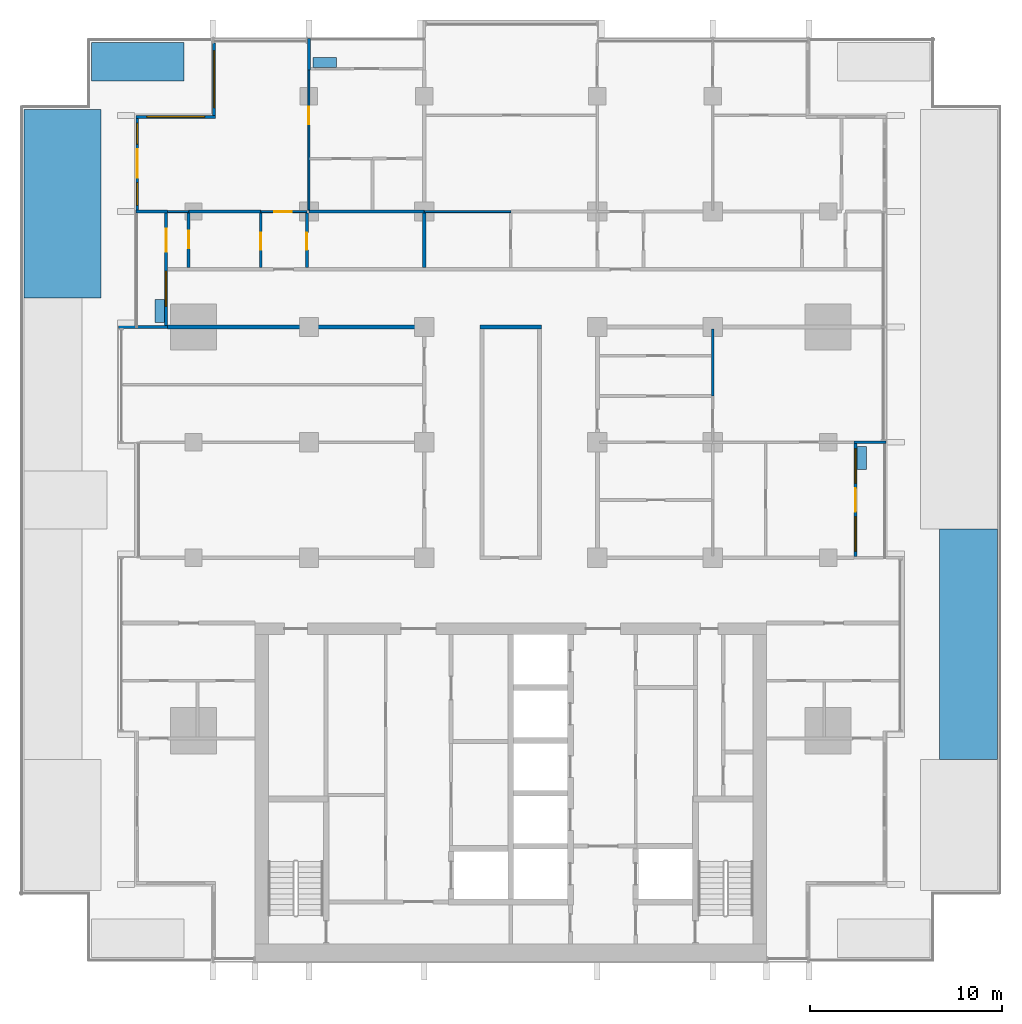
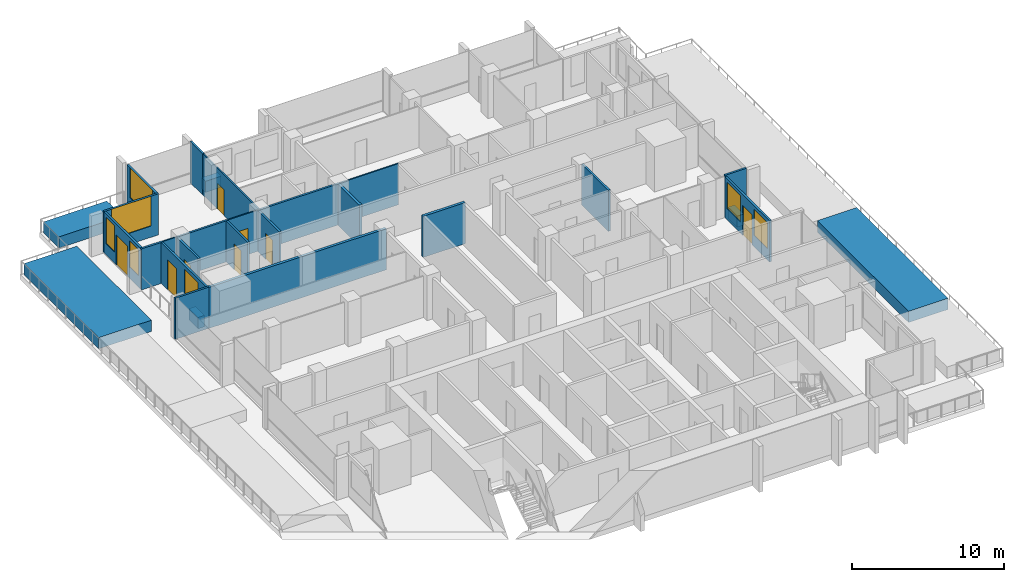
# One storey, part 10 of 18: 28 walls, 8 doors, 7 windows, 15 openings.
"""IFC4 building model written with IfcOpenShell, lengths in metres."""

from ifc_helpers import new_model, si_unit, direction, frame, frame_2d, origin, place, context, subcontext, project, spatial, rectangle, extrude, material, layer, layer_set, type_object, element, fill, save


model = new_model("IFC4")

# Units and contexts
model_context = context("Model", 3, precision=1e-05, world=origin(), true_north=direction((0.0, 1.0)))
body_context = subcontext(model_context, "Body", "Model", "MODEL_VIEW")
ifc_project = project(units=[si_unit("LENGTHUNIT", "METRE"), si_unit("AREAUNIT", "SQUARE_METRE"), si_unit("VOLUMEUNIT", "CUBIC_METRE"), si_unit("PLANEANGLEUNIT", "RADIAN"), si_unit("MASSUNIT", "GRAM", prefix="KILO")], contexts=[model_context])

# Site, building, storey
site_placement = place(None, origin())
site = spatial("IfcSite", under=ifc_project, at=site_placement, CompositionType="ELEMENT")
building_placement = place(site_placement, origin())
building = spatial("IfcBuilding", under=site, at=building_placement, Name="Finial Court Residences", CompositionType="ELEMENT")
storey_placement = place(building_placement, frame((0.0, 0.0, 149.300048828125)))
storey = spatial("IfcBuildingStorey", under=building, at=storey_placement, Name="L36", CompositionType="ELEMENT", Elevation=149.300048828125)

# Walls
ifc_material_1 = material(Name="Gypsum board")
ifc_layer_1 = layer(ifc_material_1, 0.02490234375)
ifc_material_2 = material(Name="Acoustic mineral wool in double frame")
ifc_layer_2 = layer(ifc_material_2, 0.14990234375)
ifc_layer_3 = layer(ifc_material_1, 0.02490234375)
ifc_layer_set_1 = layer_set([ifc_layer_1, ifc_layer_2, ifc_layer_3], Name="Acoustic party wall 200, 1 hour")
wall_type_1 = type_object("IfcWallType", Name="Acoustic party wall 200, 1 hour", PredefinedType="PARTITIONING", material=ifc_layer_set_1)
wall_1_placement = place(storey_placement, frame((-4.5, 10.60009765625, 0.0), z_axis=(0.0, 0.0, 1.0), x_axis=(0.0, 1.0, 0.0)))
element("IfcWall", 1, at=wall_1_placement, inside=storey, type_object=wall_type_1, Name="Partition L36-040", PredefinedType="PARTITIONING", context=body_context, shape_type="SweptSolid", body=[
    extrude(rectangle(XDim=2.824951171875, YDim=0.199951171875, at=frame_2d((1.41259765625, 0.0))), origin(), (0.0, 0.0, 1.0), 3.300048828125),
])
ifc_layer_4 = layer(ifc_material_1, 0.02490234375)
ifc_layer_5 = layer(ifc_material_2, 0.14990234375)
ifc_layer_6 = layer(ifc_material_1, 0.02490234375)
ifc_layer_set_2 = layer_set([ifc_layer_4, ifc_layer_5, ifc_layer_6], Name="Corridor wall 200, 1 hour")
wall_type_2 = type_object("IfcWallType", Name="Corridor wall 200, 1 hour", PredefinedType="PARTITIONING", material=ifc_layer_set_2)
wall_2_placement = place(storey_placement, frame((-17.85009765625, 7.5, 0.0), z_axis=(0.0, 0.0, 1.0), x_axis=(1.0, 0.0, 0.0)))
element("IfcWall", 2, at=wall_2_placement, inside=storey, type_object=wall_type_2, Name="Partition L36-016", PredefinedType="PARTITIONING", context=body_context, shape_type="SweptSolid", body=[
    extrude(rectangle(XDim=13.4501953125, YDim=0.199951171875, at=frame_2d((6.72509765625, 0.0))), origin(), (0.0, 0.0, 1.0), 3.300048828125),
])
wall_3_placement = place(storey_placement, frame((-1.60009765625, 7.5, 0.0), z_axis=(0.0, 0.0, 1.0), x_axis=(1.0, 0.0, 0.0)))
element("IfcWall", 3, at=wall_3_placement, inside=storey, type_object=wall_type_2, Name="Partition L36-017", PredefinedType="PARTITIONING", context=body_context, shape_type="SweptSolid", body=[
    extrude(rectangle(XDim=3.2001953125, YDim=0.199951171875, at=frame_2d((1.60009765625, 0.0))), origin(), (0.0, 0.0, 1.0), 3.300048828125),
])
ifc_layer_7 = layer(ifc_material_1, 0.012451171875)
ifc_material_3 = material(Name="Mineral wool in light-gauge frame")
ifc_layer_8 = layer(ifc_material_3, 0.074951171875)
ifc_layer_9 = layer(ifc_material_1, 0.012451171875)
ifc_layer_set_3 = layer_set([ifc_layer_7, ifc_layer_8, ifc_layer_9], Name="Gypsum board partition 100")
wall_type_3 = type_object("IfcWallType", Name="Gypsum board partition 100", PredefinedType="PARTITIONING", material=ifc_layer_set_3)
wall_4_placement = place(storey_placement, frame((-17.85009765625, 13.5, 0.0), z_axis=(0.0, 0.0, 1.0), x_axis=(1.0, 0.0, 0.0)))
element("IfcWall", 4, at=wall_4_placement, inside=storey, type_object=wall_type_3, Name="Partition L36-020", PredefinedType="PARTITIONING", context=body_context, shape_type="SweptSolid", body=[
    extrude(rectangle(XDim=1.10009765625, YDim=0.10009765625, at=frame_2d((0.550048828125, 0.0))), origin(), (0.0, 0.0, 1.0), 3.300048828125),
])

# Wall, opening, door
wall_5_placement = place(storey_placement, frame((-13.0, 13.5, 0.0), z_axis=(0.0, 0.0, 1.0), x_axis=(1.0, 0.0, 0.0)))
wall_5 = element("IfcWall", 5, at=wall_5_placement, inside=storey, type_object=wall_type_3, Name="Partition L36-021", PredefinedType="PARTITIONING", context=body_context, shape_type="SweptSolid", body=[
    extrude(rectangle(XDim=2.39990234375, YDim=0.10009765625, at=frame_2d((1.199951171875, 0.0))), origin(), (0.0, 0.0, 1.0), 3.300048828125),
])
opening_1_placement = place(wall_5_placement, frame((0.699951171875, 0.0, 0.0)))
opening_1 = element("IfcOpeningElement", 6, at=opening_1_placement, cuts=wall_5, Name="Opening L36-D017", PredefinedType="OPENING", context=body_context, shape_type="SweptSolid", body=[
    extrude(rectangle(XDim=0.89990234375, YDim=2.10009765625, at=frame_2d((0.449951171875, 1.050048828125))), frame((0.0, 0.06005859375, 0.0), z_axis=(0.0, -1.0, 0.0), x_axis=(1.0, 0.0, 0.0)), (0.0, 0.0, 1.0), 0.1201171875),
])
ifc_material_4 = material(Name="Timber door leaf in timber frame", Category="wood")
door_type_1 = type_object("IfcDoorType", Name="Door set 900 x 2100", OperationType="SINGLE_SWING_LEFT", PredefinedType="DOOR", material=ifc_material_4)
door_1_placement = place(opening_1_placement, origin())
door_1 = element("IfcDoor", 7, at=door_1_placement, inside=storey, type_object=door_type_1, Name="Door L36-D017", OperationType="SINGLE_SWING_LEFT", OverallHeight=2.10009765625, OverallWidth=0.89990234375, PredefinedType="DOOR", context=body_context, shape_type="SweptSolid", body=[
    extrude(rectangle(XDim=0.89990234375, YDim=2.10009765625, at=frame_2d((0.449951171875, 1.050048828125))), frame((0.0, 0.02490234375, 0.0), z_axis=(0.0, -1.0, 0.0), x_axis=(1.0, 0.0, 0.0)), (0.0, 0.0, 1.0), 0.050048828125),
])
fill(opening_1, door_1)

# Wall
wall_6_placement = place(storey_placement, frame((-4.5, 13.5, 0.0), z_axis=(0.0, 0.0, 1.0), x_axis=(1.0, 0.0, 0.0)))
element("IfcWall", 8, at=wall_6_placement, inside=storey, type_object=wall_type_3, Name="Partition L36-022", PredefinedType="PARTITIONING", context=body_context, shape_type="SweptSolid", body=[
    extrude(rectangle(XDim=4.5, YDim=0.10009765625, at=frame_2d((2.25, 0.0))), origin(), (0.0, 0.0, 1.0), 3.300048828125),
])

# Wall, opening, door
wall_7_placement = place(storey_placement, frame((-10.5, 13.574951171875, 0.0), z_axis=(0.0, 0.0, 1.0), x_axis=(0.0, 1.0, 0.0)))
wall_7 = element("IfcWall", 9, at=wall_7_placement, inside=storey, type_object=wall_type_3, Name="Partition L36-037", PredefinedType="PARTITIONING", context=body_context, shape_type="SweptSolid", body=[
    extrude(rectangle(XDim=7.275146484375, YDim=0.10009765625, at=frame_2d((3.6376953125, 0.0))), origin(), (0.0, 0.0, 1.0), 3.300048828125),
])
opening_2_placement = place(wall_7_placement, frame((4.47509765625, 0.0, 0.0)))
opening_2 = element("IfcOpeningElement", 10, at=opening_2_placement, cuts=wall_7, Name="Opening L36-D026", PredefinedType="OPENING", context=body_context, shape_type="SweptSolid", body=[
    extrude(rectangle(XDim=0.89990234375, YDim=2.10009765625, at=frame_2d((0.449951171875, 1.050048828125))), frame((0.0, 0.06005859375, 0.0), z_axis=(0.0, -1.0, 0.0), x_axis=(1.0, 0.0, 0.0)), (0.0, 0.0, 1.0), 0.1201171875),
])
door_2_placement = place(opening_2_placement, origin())
door_2 = element("IfcDoor", 11, at=door_2_placement, inside=storey, type_object=door_type_1, Name="Door L36-D026", OperationType="SINGLE_SWING_RIGHT", OverallHeight=2.10009765625, OverallWidth=0.89990234375, PredefinedType="DOOR", context=body_context, shape_type="SweptSolid", body=[
    extrude(rectangle(XDim=0.89990234375, YDim=2.10009765625, at=frame_2d((0.449951171875, 1.050048828125))), frame((0.0, 0.02490234375, 0.0), z_axis=(0.0, -1.0, 0.0), x_axis=(1.0, 0.0, 0.0)), (0.0, 0.0, 1.0), 0.050048828125),
])
fill(opening_2, door_2)

# Walls
ifc_material_5 = material(Name="Moisture-resistant gypsum board")
ifc_layer_10 = layer(ifc_material_5, 0.012451171875)
ifc_layer_11 = layer(ifc_material_3, 0.125)
ifc_layer_12 = layer(ifc_material_5, 0.012451171875)
ifc_layer_set_4 = layer_set([ifc_layer_10, ifc_layer_11, ifc_layer_12], Name="Gypsum board wet-area partition 150")
wall_type_4 = type_object("IfcWallType", Name="Gypsum board wet-area partition 150", PredefinedType="PARTITIONING", material=ifc_layer_set_4)
wall_8_placement = place(storey_placement, frame((-16.75, 13.5, 0.0), z_axis=(0.0, 0.0, 1.0), x_axis=(1.0, 0.0, 0.0)))
element("IfcWall", 12, at=wall_8_placement, inside=storey, type_object=wall_type_4, Name="Partition L36-024", PredefinedType="PARTITIONING", context=body_context, shape_type="SweptSolid", body=[
    extrude(rectangle(XDim=3.75, YDim=0.14990234375, at=frame_2d((1.875, 0.0))), origin(), (0.0, 0.0, 1.0), 3.300048828125),
])
wall_9_placement = place(storey_placement, frame((-10.5, 13.5, 0.0), z_axis=(0.0, 0.0, 1.0), x_axis=(1.0, 0.0, 0.0)))
element("IfcWall", 13, at=wall_9_placement, inside=storey, type_object=wall_type_4, Name="Partition L36-025", PredefinedType="PARTITIONING", context=body_context, shape_type="SweptSolid", body=[
    extrude(rectangle(XDim=6.0, YDim=0.14990234375, at=frame_2d((3.0, 0.0))), origin(), (0.0, 0.0, 1.0), 3.300048828125),
])

# Wall, opening, door
wall_10_placement = place(storey_placement, frame((-16.75, 10.60009765625, 0.0), z_axis=(0.0, 0.0, 1.0), x_axis=(0.0, 1.0, 0.0)))
wall_10 = element("IfcWall", 14, at=wall_10_placement, inside=storey, type_object=wall_type_4, Name="Partition L36-033", PredefinedType="PARTITIONING", context=body_context, shape_type="SweptSolid", body=[
    extrude(rectangle(XDim=2.824951171875, YDim=0.14990234375, at=frame_2d((1.41259765625, 0.0))), origin(), (0.0, 0.0, 1.0), 3.300048828125),
])
opening_3_placement = place(wall_10_placement, frame((1.0, 0.0, 0.0)))
opening_3 = element("IfcOpeningElement", 15, at=opening_3_placement, cuts=wall_10, Name="Opening L36-D023", PredefinedType="OPENING", context=body_context, shape_type="SweptSolid", body=[
    extrude(rectangle(XDim=0.89990234375, YDim=2.10009765625, at=frame_2d((0.449951171875, 1.050048828125))), frame((0.0, 0.0849609375, 0.0), z_axis=(0.0, -1.0, 0.0), x_axis=(1.0, 0.0, 0.0)), (0.0, 0.0, 1.0), 0.169921875),
])
door_3_placement = place(opening_3_placement, origin())
door_3 = element("IfcDoor", 16, at=door_3_placement, inside=storey, type_object=door_type_1, Name="Door L36-D023", OperationType="SINGLE_SWING_LEFT", OverallHeight=2.10009765625, OverallWidth=0.89990234375, PredefinedType="DOOR", context=body_context, shape_type="SweptSolid", body=[
    extrude(rectangle(XDim=0.89990234375, YDim=2.10009765625, at=frame_2d((0.449951171875, 1.050048828125))), frame((0.0, 0.02490234375, 0.0), z_axis=(0.0, -1.0, 0.0), x_axis=(1.0, 0.0, 0.0)), (0.0, 0.0, 1.0), 0.050048828125),
])
fill(opening_3, door_3)

wall_11_placement = place(storey_placement, frame((-13.0, 10.60009765625, 0.0), z_axis=(0.0, 0.0, 1.0), x_axis=(0.0, 1.0, 0.0)))
wall_11 = element("IfcWall", 17, at=wall_11_placement, inside=storey, type_object=wall_type_4, Name="Partition L36-035", PredefinedType="PARTITIONING", context=body_context, shape_type="SweptSolid", body=[
    extrude(rectangle(XDim=2.824951171875, YDim=0.14990234375, at=frame_2d((1.41259765625, 0.0))), origin(), (0.0, 0.0, 1.0), 3.300048828125),
])
opening_4_placement = place(wall_11_placement, frame((0.89990234375, 0.0, 0.0)))
opening_4 = element("IfcOpeningElement", 18, at=opening_4_placement, cuts=wall_11, Name="Opening L36-D024", PredefinedType="OPENING", context=body_context, shape_type="SweptSolid", body=[
    extrude(rectangle(XDim=0.89990234375, YDim=2.10009765625, at=frame_2d((0.449951171875, 1.050048828125))), frame((0.0, 0.0849609375, 0.0), z_axis=(0.0, -1.0, 0.0), x_axis=(1.0, 0.0, 0.0)), (0.0, 0.0, 1.0), 0.169921875),
])
door_4_placement = place(opening_4_placement, origin())
door_4 = element("IfcDoor", 19, at=door_4_placement, inside=storey, type_object=door_type_1, Name="Door L36-D024", OperationType="SINGLE_SWING_LEFT", OverallHeight=2.10009765625, OverallWidth=0.89990234375, PredefinedType="DOOR", context=body_context, shape_type="SweptSolid", body=[
    extrude(rectangle(XDim=0.89990234375, YDim=2.10009765625, at=frame_2d((0.449951171875, 1.050048828125))), frame((0.0, 0.02490234375, 0.0), z_axis=(0.0, -1.0, 0.0), x_axis=(1.0, 0.0, 0.0)), (0.0, 0.0, 1.0), 0.050048828125),
])
fill(opening_4, door_4)

wall_12_placement = place(storey_placement, frame((-10.60009765625, 10.60009765625, 0.0), z_axis=(0.0, 0.0, 1.0), x_axis=(0.0, 1.0, 0.0)))
wall_12 = element("IfcWall", 20, at=wall_12_placement, inside=storey, type_object=wall_type_4, Name="Partition L36-036", PredefinedType="PARTITIONING", context=body_context, shape_type="SweptSolid", body=[
    extrude(rectangle(XDim=2.824951171875, YDim=0.14990234375, at=frame_2d((1.41259765625, 0.0))), origin(), (0.0, 0.0, 1.0), 3.300048828125),
])
opening_5_placement = place(wall_12_placement, frame((0.89990234375, 0.0, 0.0)))
opening_5 = element("IfcOpeningElement", 21, at=opening_5_placement, cuts=wall_12, Name="Opening L36-D025", PredefinedType="OPENING", context=body_context, shape_type="SweptSolid", body=[
    extrude(rectangle(XDim=0.89990234375, YDim=2.10009765625, at=frame_2d((0.449951171875, 1.050048828125))), frame((0.0, 0.0849609375, 0.0), z_axis=(0.0, -1.0, 0.0), x_axis=(1.0, 0.0, 0.0)), (0.0, 0.0, 1.0), 0.169921875),
])
door_5_placement = place(opening_5_placement, origin())
door_5 = element("IfcDoor", 22, at=door_5_placement, inside=storey, type_object=door_type_1, Name="Door L36-D025", OperationType="SINGLE_SWING_RIGHT", OverallHeight=2.10009765625, OverallWidth=0.89990234375, PredefinedType="DOOR", context=body_context, shape_type="SweptSolid", body=[
    extrude(rectangle(XDim=0.89990234375, YDim=2.10009765625, at=frame_2d((0.449951171875, 1.050048828125))), frame((0.0, 0.02490234375, 0.0), z_axis=(0.0, -1.0, 0.0), x_axis=(1.0, 0.0, 0.0)), (0.0, 0.0, 1.0), 0.050048828125),
])
fill(opening_5, door_5)

# Wall
wall_13_placement = place(storey_placement, frame((10.5, 3.89990234375, 0.0), z_axis=(0.0, 0.0, 1.0), x_axis=(0.0, 1.0, 0.0)))
element("IfcWall", 23, at=wall_13_placement, inside=storey, type_object=wall_type_4, Name="Partition L36-053", PredefinedType="PARTITIONING", context=body_context, shape_type="SweptSolid", body=[
    extrude(rectangle(XDim=3.5, YDim=0.14990234375, at=frame_2d((1.75, 0.0))), origin(), (0.0, 0.0, 1.0), 3.300048828125),
])

# Wall, opening, window
ifc_material_6 = material(Name="Natural limestone", Category="masonry")
ifc_layer_13 = layer(ifc_material_6, 0.14990234375)
ifc_layer_set_5 = layer_set([ifc_layer_13], Name="Limestone clad wall 150")
wall_type_5 = type_object("IfcWallType", Name="Limestone clad wall 150", PredefinedType="SOLIDWALL", material=ifc_layer_set_5)
wall_14_placement = place(storey_placement, frame((-15.425048828125, 18.5, 0.0), z_axis=(0.0, 0.0, 1.0), x_axis=(0.0, 1.0, 0.0)))
wall_14 = element("IfcWall", 24, at=wall_14_placement, inside=storey, type_object=wall_type_5, Name="E-L36-NWW15", PredefinedType="SOLIDWALL", context=body_context, shape_type="SweptSolid", body=[
    extrude(rectangle(XDim=3.762451171875, YDim=0.14990234375, at=frame_2d((1.88134765625, 0.0))), origin(), (0.0, 0.0, 1.0), 3.300048828125),
])
opening_6_placement = place(wall_14_placement, frame((0.4013671875, 0.0, 0.89990234375)))
opening_6 = element("IfcOpeningElement", 25, at=opening_6_placement, cuts=wall_14, Name="Opening WE36-05", PredefinedType="OPENING", context=body_context, shape_type="SweptSolid", body=[
    extrude(rectangle(XDim=2.9599609375, YDim=2.39990234375, at=frame_2d((1.47998046875, 1.199951171875))), frame((0.0, 0.0849609375, 0.0), z_axis=(0.0, -1.0, 0.0), x_axis=(1.0, 0.0, 0.0)), (0.0, 0.0, 1.0), 0.169921875),
])
ifc_material_7 = material(Name="Clear low-e glass", Category="glass")
window_type_1 = type_object("IfcWindowType", Name="Corner window 2960 x 2400", PartitioningType="SINGLE_PANEL", PredefinedType="WINDOW", material=ifc_material_7)
window_1_placement = place(opening_6_placement, origin())
window_1 = element("IfcWindow", 26, at=window_1_placement, inside=storey, type_object=window_type_1, Name="E-L36-NWW15-W1", OverallHeight=2.39990234375, OverallWidth=2.9599609375, PartitioningType="SINGLE_PANEL", PredefinedType="WINDOW", context=body_context, shape_type="SweptSolid", body=[
    extrude(rectangle(XDim=2.9599609375, YDim=2.39990234375, at=frame_2d((1.47998046875, 1.199951171875))), frame((0.0, 0.030029296875, 0.0), z_axis=(0.0, -1.0, 0.0), x_axis=(1.0, 0.0, 0.0)), (0.0, 0.0, 1.0), 0.06005859375),
])
fill(opening_6, window_1)

wall_15_placement = place(storey_placement, frame((-19.5, 18.425048828125, 0.0), z_axis=(0.0, 0.0, 1.0), x_axis=(1.0, 0.0, 0.0)))
wall_15 = element("IfcWall", 27, at=wall_15_placement, inside=storey, type_object=wall_type_5, Name="E-L36-NWN16", PredefinedType="SOLIDWALL", context=body_context, shape_type="SweptSolid", body=[
    extrude(rectangle(XDim=4.14990234375, YDim=0.14990234375, at=frame_2d((2.074951171875, 0.0))), origin(), (0.0, 0.0, 1.0), 3.300048828125),
])
opening_7_placement = place(wall_15_placement, frame((0.574951171875, 0.0, 0.89990234375)))
opening_7 = element("IfcOpeningElement", 28, at=opening_7_placement, cuts=wall_15, Name="Opening WE36-06", PredefinedType="OPENING", context=body_context, shape_type="SweptSolid", body=[
    extrude(rectangle(XDim=3.0, YDim=2.39990234375, at=frame_2d((1.5, 1.199951171875))), frame((0.0, 0.0849609375, 0.0), z_axis=(0.0, -1.0, 0.0), x_axis=(1.0, 0.0, 0.0)), (0.0, 0.0, 1.0), 0.169921875),
])
window_type_2 = type_object("IfcWindowType", Name="Corner window 3000 x 2400", PartitioningType="SINGLE_PANEL", PredefinedType="WINDOW", material=ifc_material_7)
window_2_placement = place(opening_7_placement, origin())
window_2 = element("IfcWindow", 29, at=window_2_placement, inside=storey, type_object=window_type_2, Name="E-L36-NWN16-W1", OverallHeight=2.39990234375, OverallWidth=3.0, PartitioningType="SINGLE_PANEL", PredefinedType="WINDOW", context=body_context, shape_type="SweptSolid", body=[
    extrude(rectangle(XDim=3.0, YDim=2.39990234375, at=frame_2d((1.5, 1.199951171875))), frame((0.0, 0.030029296875, 0.0), z_axis=(0.0, -1.0, 0.0), x_axis=(1.0, 0.0, 0.0)), (0.0, 0.0, 1.0), 0.06005859375),
])
fill(opening_7, window_2)

# Walls
wall_16_placement = place(storey_placement, frame((-10.5, 20.85009765625, 0.0), z_axis=(0.0, 0.0, 1.0), x_axis=(0.0, 1.0, 0.0)))
element("IfcWall", 30, at=wall_16_placement, inside=storey, type_object=wall_type_5, Name="E-L36-BALN2-P1", PredefinedType="SOLIDWALL", context=body_context, shape_type="SweptSolid", body=[
    extrude(rectangle(XDim=1.64990234375, YDim=0.14990234375, at=frame_2d((0.824951171875, 0.0))), origin(), (0.0, 0.0, 1.0), 3.300048828125),
])
wall_17_placement = place(storey_placement, frame((17.85009765625, 1.5, 0.0), z_axis=(0.0, 0.0, 1.0), x_axis=(1.0, 0.0, 0.0)))
element("IfcWall", 31, at=wall_17_placement, inside=storey, type_object=wall_type_5, Name="E-L36-BALE3-P2", PredefinedType="SOLIDWALL", context=body_context, shape_type="SweptSolid", body=[
    extrude(rectangle(XDim=1.64990234375, YDim=0.14990234375, at=frame_2d((0.824951171875, 0.0))), origin(), (0.0, 0.0, 1.0), 3.39990234375),
])

# Wall, openings, door, windows
wall_18_placement = place(storey_placement, frame((17.925048828125, 1.425048828125, 0.0), z_axis=(0.0, 0.0, 1.0), x_axis=(0.0, -1.0, 0.0)))
wall_18 = element("IfcWall", 32, at=wall_18_placement, inside=storey, type_object=wall_type_5, Name="E-L36-L36-BALE3-W", PredefinedType="SOLIDWALL", context=body_context, shape_type="SweptSolid", body=[
    extrude(rectangle(XDim=5.85009765625, YDim=0.14990234375, at=frame_2d((2.925048828125, 0.0))), origin(), (0.0, 0.0, 1.0), 3.300048828125),
])
opening_8_placement = place(wall_18_placement, frame((2.324951171875, 0.0, 0.0)))
opening_8 = element("IfcOpeningElement", 33, at=opening_8_placement, cuts=wall_18, Name="Opening DE36-02", PredefinedType="OPENING", context=body_context, shape_type="SweptSolid", body=[
    extrude(rectangle(XDim=1.199951171875, YDim=2.39990234375, at=frame_2d((0.60009765625, 1.199951171875))), frame((0.0, 0.0849609375, 0.0), z_axis=(0.0, -1.0, 0.0), x_axis=(1.0, 0.0, 0.0)), (0.0, 0.0, 1.0), 0.169921875),
])
opening_9_placement = place(wall_18_placement, frame((3.78759765625, 0.0, 0.89990234375)))
opening_9 = element("IfcOpeningElement", 34, at=opening_9_placement, cuts=wall_18, Name="Opening WE36-12", PredefinedType="OPENING", context=body_context, shape_type="SweptSolid", body=[
    extrude(rectangle(XDim=1.800048828125, YDim=2.10009765625, at=frame_2d((0.89990234375, 1.050048828125))), frame((0.0, 0.0849609375, 0.0), z_axis=(0.0, -1.0, 0.0), x_axis=(1.0, 0.0, 0.0)), (0.0, 0.0, 1.0), 0.169921875),
])
opening_10_placement = place(wall_18_placement, frame((0.262451171875, 0.0, 0.89990234375)))
opening_10 = element("IfcOpeningElement", 35, at=opening_10_placement, cuts=wall_18, Name="Opening WE36-13", PredefinedType="OPENING", context=body_context, shape_type="SweptSolid", body=[
    extrude(rectangle(XDim=1.800048828125, YDim=2.10009765625, at=frame_2d((0.89990234375, 1.050048828125))), frame((0.0, 0.0849609375, 0.0), z_axis=(0.0, -1.0, 0.0), x_axis=(1.0, 0.0, 0.0)), (0.0, 0.0, 1.0), 0.169921875),
])
ifc_material_8 = material(Name="Bronze anodised aluminium", Category="aluminium")
door_type_2 = type_object("IfcDoorType", Name="Balcony door 1200 x 2400", OperationType="SINGLE_SWING_LEFT", PredefinedType="DOOR", material=ifc_material_8)
door_6_placement = place(opening_8_placement, origin())
door_6 = element("IfcDoor", 36, at=door_6_placement, inside=storey, type_object=door_type_2, Name="E-L36-L36-BALE3-W-D", OperationType="SINGLE_SWING_RIGHT", OverallHeight=2.39990234375, OverallWidth=1.199951171875, PredefinedType="DOOR", context=body_context, shape_type="SweptSolid", body=[
    extrude(rectangle(XDim=1.199951171875, YDim=2.39990234375, at=frame_2d((0.60009765625, 1.199951171875))), frame((0.0, 0.02490234375, 0.0), z_axis=(0.0, -1.0, 0.0), x_axis=(1.0, 0.0, 0.0)), (0.0, 0.0, 1.0), 0.050048828125),
])
fill(opening_8, door_6)
window_type_3 = type_object("IfcWindowType", Name="Balcony window 1800 x 2100", PartitioningType="SINGLE_PANEL", PredefinedType="WINDOW", material=ifc_material_7)
window_3_placement = place(opening_9_placement, origin())
window_3 = element("IfcWindow", 37, at=window_3_placement, inside=storey, type_object=window_type_3, Name="E-L36-L36-BALE3-W-W1", OverallHeight=2.10009765625, OverallWidth=1.800048828125, PartitioningType="SINGLE_PANEL", PredefinedType="WINDOW", context=body_context, shape_type="SweptSolid", body=[
    extrude(rectangle(XDim=1.800048828125, YDim=2.10009765625, at=frame_2d((0.89990234375, 1.050048828125))), frame((0.0, 0.030029296875, 0.0), z_axis=(0.0, -1.0, 0.0), x_axis=(1.0, 0.0, 0.0)), (0.0, 0.0, 1.0), 0.06005859375),
])
fill(opening_9, window_3)
window_4_placement = place(opening_10_placement, origin())
window_4 = element("IfcWindow", 38, at=window_4_placement, inside=storey, type_object=window_type_3, Name="E-L36-L36-BALE3-W-W2", OverallHeight=2.10009765625, OverallWidth=1.800048828125, PartitioningType="SINGLE_PANEL", PredefinedType="WINDOW", context=body_context, shape_type="SweptSolid", body=[
    extrude(rectangle(XDim=1.800048828125, YDim=2.10009765625, at=frame_2d((0.89990234375, 1.050048828125))), frame((0.0, 0.030029296875, 0.0), z_axis=(0.0, -1.0, 0.0), x_axis=(1.0, 0.0, 0.0)), (0.0, 0.0, 1.0), 0.06005859375),
])
fill(opening_10, window_4)

# Walls
wall_19_placement = place(storey_placement, frame((-17.85009765625, 7.5, 0.0), z_axis=(0.0, 0.0, 1.0), x_axis=(-1.0, 0.0, 0.0)))
element("IfcWall", 39, at=wall_19_placement, inside=storey, type_object=wall_type_5, Name="E-L36-BALW5-P1", PredefinedType="SOLIDWALL", context=body_context, shape_type="SweptSolid", body=[
    extrude(rectangle(XDim=2.5498046875, YDim=0.14990234375, at=frame_2d((1.27490234375, 0.0))), origin(), (0.0, 0.0, 1.0), 3.300048828125),
])
wall_20_placement = place(storey_placement, frame((-17.85009765625, 13.5, 0.0), z_axis=(0.0, 0.0, 1.0), x_axis=(-1.0, 0.0, 0.0)))
element("IfcWall", 40, at=wall_20_placement, inside=storey, type_object=wall_type_5, Name="E-L36-BALW5-P2", PredefinedType="SOLIDWALL", context=body_context, shape_type="SweptSolid", body=[
    extrude(rectangle(XDim=1.64990234375, YDim=0.14990234375, at=frame_2d((0.824951171875, 0.0))), origin(), (0.0, 0.0, 1.0), 3.300048828125),
])

# Wall, openings, door, window
wall_21_placement = place(storey_placement, frame((-17.925048828125, 7.574951171875, 0.0), z_axis=(0.0, 0.0, 1.0), x_axis=(0.0, 1.0, 0.0)))
wall_21 = element("IfcWall", 41, at=wall_21_placement, inside=storey, type_object=wall_type_5, Name="E-L36-L36-BALW5-W", PredefinedType="SOLIDWALL", context=body_context, shape_type="SweptSolid", body=[
    extrude(rectangle(XDim=5.85009765625, YDim=0.14990234375, at=frame_2d((2.925048828125, 0.0))), origin(), (0.0, 0.0, 1.0), 3.300048828125),
])
opening_11_placement = place(wall_21_placement, frame((3.824951171875, 0.0, 0.0)))
opening_11 = element("IfcOpeningElement", 42, at=opening_11_placement, cuts=wall_21, Name="Opening DE36-03", PredefinedType="OPENING", context=body_context, shape_type="SweptSolid", body=[
    extrude(rectangle(XDim=1.199951171875, YDim=2.39990234375, at=frame_2d((0.60009765625, 1.199951171875))), frame((0.0, 0.0849609375, 0.0), z_axis=(0.0, -1.0, 0.0), x_axis=(1.0, 0.0, 0.0)), (0.0, 0.0, 1.0), 0.169921875),
])
opening_12_placement = place(wall_21_placement, frame((1.012451171875, 0.0, 0.89990234375)))
opening_12 = element("IfcOpeningElement", 43, at=opening_12_placement, cuts=wall_21, Name="Opening WE36-14", PredefinedType="OPENING", context=body_context, shape_type="SweptSolid", body=[
    extrude(rectangle(XDim=1.800048828125, YDim=2.10009765625, at=frame_2d((0.89990234375, 1.050048828125))), frame((0.0, 0.0849609375, 0.0), z_axis=(0.0, -1.0, 0.0), x_axis=(1.0, 0.0, 0.0)), (0.0, 0.0, 1.0), 0.169921875),
])
door_7_placement = place(opening_11_placement, origin())
door_7 = element("IfcDoor", 44, at=door_7_placement, inside=storey, type_object=door_type_2, Name="E-L36-L36-BALW5-W-D", OperationType="SINGLE_SWING_LEFT", OverallHeight=2.39990234375, OverallWidth=1.199951171875, PredefinedType="DOOR", context=body_context, shape_type="SweptSolid", body=[
    extrude(rectangle(XDim=1.199951171875, YDim=2.39990234375, at=frame_2d((0.60009765625, 1.199951171875))), frame((0.0, 0.02490234375, 0.0), z_axis=(0.0, -1.0, 0.0), x_axis=(1.0, 0.0, 0.0)), (0.0, 0.0, 1.0), 0.050048828125),
])
fill(opening_11, door_7)
window_5_placement = place(opening_12_placement, origin())
window_5 = element("IfcWindow", 45, at=window_5_placement, inside=storey, type_object=window_type_3, Name="E-L36-L36-BALW5-W-W1", OverallHeight=2.10009765625, OverallWidth=1.800048828125, PartitioningType="SINGLE_PANEL", PredefinedType="WINDOW", context=body_context, shape_type="SweptSolid", body=[
    extrude(rectangle(XDim=1.800048828125, YDim=2.10009765625, at=frame_2d((0.89990234375, 1.050048828125))), frame((0.0, 0.030029296875, 0.0), z_axis=(0.0, -1.0, 0.0), x_axis=(1.0, 0.0, 0.0)), (0.0, 0.0, 1.0), 0.06005859375),
])
fill(opening_12, window_5)

# Wall, openings, door, windows
wall_22_placement = place(storey_placement, frame((-19.425048828125, 13.574951171875, 0.0), z_axis=(0.0, 0.0, 1.0), x_axis=(0.0, 1.0, 0.0)))
wall_22 = element("IfcWall", 46, at=wall_22_placement, inside=storey, type_object=wall_type_5, Name="E-L36-L36-TD4-W", PredefinedType="SOLIDWALL", context=body_context, shape_type="SweptSolid", body=[
    extrude(rectangle(XDim=4.775146484375, YDim=0.14990234375, at=frame_2d((2.3876953125, 0.0))), origin(), (0.0, 0.0, 1.0), 3.300048828125),
])
opening_13_placement = place(wall_22_placement, frame((1.675048828125, 0.0, 0.0)))
opening_13 = element("IfcOpeningElement", 47, at=opening_13_placement, cuts=wall_22, Name="Opening DE36-07", PredefinedType="OPENING", context=body_context, shape_type="SweptSolid", body=[
    extrude(rectangle(XDim=1.5, YDim=2.39990234375, at=frame_2d((0.75, 1.199951171875))), frame((0.0, 0.0849609375, 0.0), z_axis=(0.0, -1.0, 0.0), x_axis=(1.0, 0.0, 0.0)), (0.0, 0.0, 1.0), 0.169921875),
])
opening_14_placement = place(wall_22_placement, frame((0.25, 0.0, 0.89990234375)))
opening_14 = element("IfcOpeningElement", 48, at=opening_14_placement, cuts=wall_22, Name="Opening WE36-21", PredefinedType="OPENING", context=body_context, shape_type="SweptSolid", body=[
    extrude(rectangle(XDim=1.175048828125, YDim=2.10009765625, at=frame_2d((0.58740234375, 1.050048828125))), frame((0.0, 0.0849609375, 0.0), z_axis=(0.0, -1.0, 0.0), x_axis=(1.0, 0.0, 0.0)), (0.0, 0.0, 1.0), 0.169921875),
])
opening_15_placement = place(wall_22_placement, frame((3.425048828125, 0.0, 0.89990234375)))
opening_15 = element("IfcOpeningElement", 49, at=opening_15_placement, cuts=wall_22, Name="Opening WE36-22", PredefinedType="OPENING", context=body_context, shape_type="SweptSolid", body=[
    extrude(rectangle(XDim=1.10009765625, YDim=2.10009765625, at=frame_2d((0.550048828125, 1.050048828125))), frame((0.0, 0.0849609375, 0.0), z_axis=(0.0, -1.0, 0.0), x_axis=(1.0, 0.0, 0.0)), (0.0, 0.0, 1.0), 0.169921875),
])
door_type_3 = type_object("IfcDoorType", Name="Terrace door 1500 x 2400", OperationType="DOUBLE_DOOR_SINGLE_SWING", PredefinedType="DOOR", material=ifc_material_8)
door_8_placement = place(opening_13_placement, origin())
door_8 = element("IfcDoor", 50, at=door_8_placement, inside=storey, type_object=door_type_3, Name="E-L36-L36-TD4-W-D", OperationType="DOUBLE_DOOR_SINGLE_SWING", OverallHeight=2.39990234375, OverallWidth=1.5, PredefinedType="DOOR", context=body_context, shape_type="SweptSolid", body=[
    extrude(rectangle(XDim=1.5, YDim=2.39990234375, at=frame_2d((0.75, 1.199951171875))), frame((0.0, 0.02490234375, 0.0), z_axis=(0.0, -1.0, 0.0), x_axis=(1.0, 0.0, 0.0)), (0.0, 0.0, 1.0), 0.050048828125),
])
fill(opening_13, door_8)
window_type_4 = type_object("IfcWindowType", Name="Terrace window 1100 x 2100", PartitioningType="SINGLE_PANEL", PredefinedType="WINDOW", material=ifc_material_7)
window_6_placement = place(opening_15_placement, origin())
window_6 = element("IfcWindow", 51, at=window_6_placement, inside=storey, type_object=window_type_4, Name="E-L36-L36-TD4-W-W2", OverallHeight=2.10009765625, OverallWidth=1.10009765625, PartitioningType="SINGLE_PANEL", PredefinedType="WINDOW", context=body_context, shape_type="SweptSolid", body=[
    extrude(rectangle(XDim=1.10009765625, YDim=2.10009765625, at=frame_2d((0.550048828125, 1.050048828125))), frame((0.0, 0.030029296875, 0.0), z_axis=(0.0, -1.0, 0.0), x_axis=(1.0, 0.0, 0.0)), (0.0, 0.0, 1.0), 0.06005859375),
])
fill(opening_15, window_6)
window_type_5 = type_object("IfcWindowType", Name="Terrace window 1175 x 2100", PartitioningType="SINGLE_PANEL", PredefinedType="WINDOW", material=ifc_material_7)
window_7_placement = place(opening_14_placement, origin())
window_7 = element("IfcWindow", 52, at=window_7_placement, inside=storey, type_object=window_type_5, Name="E-L36-L36-TD4-W-W1", OverallHeight=2.10009765625, OverallWidth=1.175048828125, PartitioningType="SINGLE_PANEL", PredefinedType="WINDOW", context=body_context, shape_type="SweptSolid", body=[
    extrude(rectangle(XDim=1.175048828125, YDim=2.10009765625, at=frame_2d((0.58740234375, 1.050048828125))), frame((0.0, 0.030029296875, 0.0), z_axis=(0.0, -1.0, 0.0), x_axis=(1.0, 0.0, 0.0)), (0.0, 0.0, 1.0), 0.06005859375),
])
fill(opening_14, window_7)

# Walls
ifc_material_9 = material(Name="Concrete C40/50", Category="concrete")
ifc_layer_14 = layer(ifc_material_9, 0.10009765625)
ifc_material_10 = material(Name="Planting soil", Category="soil")
ifc_layer_15 = layer(ifc_material_10, 0.300048828125)
ifc_layer_16 = layer(ifc_material_9, 0.10009765625)
ifc_layer_set_6 = layer_set([ifc_layer_14, ifc_layer_15, ifc_layer_16], Name="Planter wall, balcony")
wall_type_6 = type_object("IfcWallType", Name="Planter wall, balcony", PredefinedType="USERDEFINED", material=ifc_layer_set_6)
for number, where, z_axis, x_axis, name in (
    (53, (-10.27490234375, 21.25, 0.0), (0.0, 0.0, 1.0), (1.0, 0.0, 0.0), "E-L36-BALN2-PL"),
    (54, (18.25, 0.074951171875, 0.0), (0.0, 0.0, 1.0), (0.0, 1.0, 0.0), "E-L36-BALE3-PL"),
    (55, (-18.25, 7.72509765625, 0.0), (0.0, 0.0, 1.0), (0.0, 1.0, 0.0), "E-L36-BALW5-PL"),
):
    element("IfcWall", number, at=place(storey_placement, frame(where, z_axis=z_axis, x_axis=x_axis)), inside=storey, type_object=wall_type_6, Name=name, ObjectType="PLANTER", PredefinedType="USERDEFINED", context=body_context, shape_type="SweptSolid", body=[
        extrude(rectangle(XDim=1.199951171875, YDim=0.5, at=frame_2d((0.60009765625, 0.0))), origin(), (0.0, 0.0, 1.0), 0.89990234375),
    ])
ifc_layer_17 = layer(ifc_material_9, 0.199951171875)
ifc_layer_18 = layer(ifc_material_10, 1.60009765625)
ifc_layer_19 = layer(ifc_material_9, 0.199951171875)
ifc_layer_set_7 = layer_set([ifc_layer_17, ifc_layer_18, ifc_layer_19], Name="Planter wall, terrace 2000")
wall_type_7 = type_object("IfcWallType", Name="Planter wall, terrace 2000", PredefinedType="USERDEFINED", material=ifc_layer_set_7)
wall_23_placement = place(storey_placement, frame((-21.800048828125, 21.300048828125, 0.0), z_axis=(0.0, 0.0, 1.0), x_axis=(1.0, 0.0, 0.0)))
element("IfcWall", 56, at=wall_23_placement, inside=storey, type_object=wall_type_7, Name="E-L36-TER2-PL7", ObjectType="PLANTER", PredefinedType="USERDEFINED", context=body_context, shape_type="SweptSolid", body=[
    extrude(rectangle(XDim=4.800048828125, YDim=2.0, at=frame_2d((2.39990234375, 0.0))), origin(), (0.0, 0.0, 1.0), 0.89990234375),
])
ifc_layer_20 = layer(ifc_material_9, 0.199951171875)
ifc_layer_21 = layer(ifc_material_10, 2.60009765625)
ifc_layer_22 = layer(ifc_material_9, 0.199951171875)
ifc_layer_set_8 = layer_set([ifc_layer_20, ifc_layer_21, ifc_layer_22], Name="Planter wall, terrace 3000")
wall_type_8 = type_object("IfcWallType", Name="Planter wall, terrace 3000", PredefinedType="USERDEFINED", material=ifc_layer_set_8)
wall_24_placement = place(storey_placement, frame((23.800048828125, -15.0, 0.0), z_axis=(0.0, 0.0, 1.0), x_axis=(0.0, 1.0, 0.0)))
element("IfcWall", 57, at=wall_24_placement, inside=storey, type_object=wall_type_8, Name="E-L36-TER1-PL5", ObjectType="PLANTER", PredefinedType="USERDEFINED", context=body_context, shape_type="SweptSolid", body=[
    extrude(rectangle(XDim=12.0, YDim=3.0, at=frame_2d((6.0, 0.0))), origin(), (0.0, 0.0, 1.0), 0.89990234375),
])
ifc_layer_23 = layer(ifc_material_9, 0.199951171875)
ifc_layer_24 = layer(ifc_material_10, 3.60009765625)
ifc_layer_25 = layer(ifc_material_9, 0.199951171875)
ifc_layer_set_9 = layer_set([ifc_layer_23, ifc_layer_24, ifc_layer_25], Name="Planter wall, terrace 4000")
wall_type_9 = type_object("IfcWallType", Name="Planter wall, terrace 4000", PredefinedType="USERDEFINED", material=ifc_layer_set_9)
wall_25_placement = place(storey_placement, frame((-23.300048828125, 9.0, 0.0), z_axis=(0.0, 0.0, 1.0), x_axis=(0.0, 1.0, 0.0)))
element("IfcWall", 58, at=wall_25_placement, inside=storey, type_object=wall_type_9, Name="E-L36-TER2-PL5", ObjectType="PLANTER", PredefinedType="USERDEFINED", context=body_context, shape_type="SweptSolid", body=[
    extrude(rectangle(XDim=9.800048828125, YDim=4.0, at=frame_2d((4.89990234375, 0.0))), origin(), (0.0, 0.0, 1.0), 0.89990234375),
])

save(model, "model.ifc")
